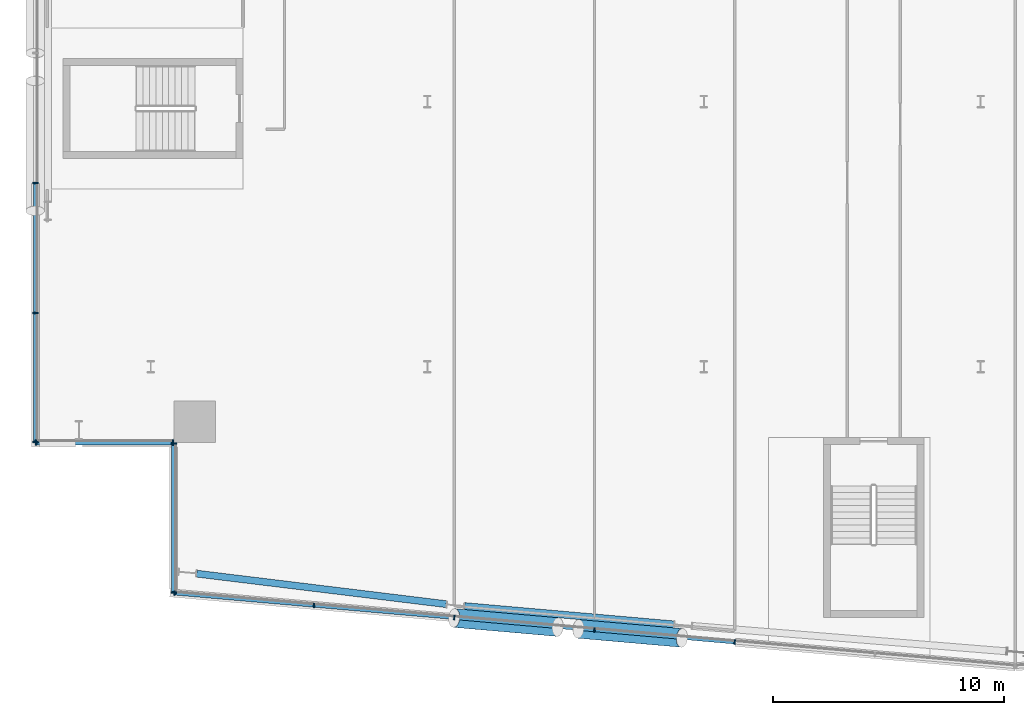
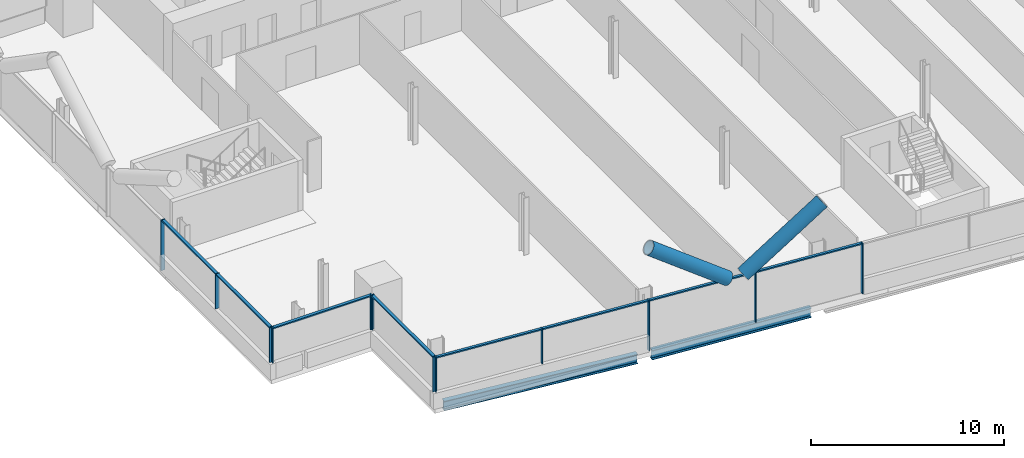
# One storey, part 5 of 26: 22 members, 2 beams, 4 elements without a shape of their own.
"""IFC4 building model written with IfcOpenShell, lengths in metres."""

from ifc_helpers import new_model, si_unit, direction, frame, origin, origin_2d, place, context, subcontext, project, spatial, rectangle, hollow_circle, i_section, extrude, material, material_profile, profile_set, type_object, element, aggregate, save


model = new_model("IFC4")

# Units and contexts
model_context = context("Model", 3, precision=1e-05, world=origin(), true_north=direction((0.0, 1.0)))
body_context = subcontext(model_context, "Body", "Model", "MODEL_VIEW")
ifc_project = project(units=[si_unit("LENGTHUNIT", "METRE"), si_unit("AREAUNIT", "SQUARE_METRE"), si_unit("VOLUMEUNIT", "CUBIC_METRE"), si_unit("PLANEANGLEUNIT", "RADIAN"), si_unit("MASSUNIT", "GRAM", prefix="KILO")], contexts=[model_context])

# Site, building, storey
site_placement = place(None, origin())
site = spatial("IfcSite", under=ifc_project, at=site_placement, CompositionType="ELEMENT")
building_placement = place(site_placement, origin())
building = spatial("IfcBuilding", under=site, at=building_placement, Name="Wharfspan Tower", CompositionType="ELEMENT")
storey_placement = place(building_placement, frame((0.0, 0.0, 125.5)))
storey = spatial("IfcBuildingStorey", under=building, at=storey_placement, Name="L29", CompositionType="ELEMENT", Elevation=125.5)

# Beams
ifc_material_1 = material(Name="Steel S355J2", Category="steel")
ifc_material_profile_1 = material_profile(ifc_material_1, i_section(OverallWidth=0.300049, OverallDepth=0.600098, WebThickness=0.015381, FlangeThickness=0.030029, FilletRadius=0.0271, at=origin_2d()))
ifc_profile_set_1 = profile_set([ifc_material_profile_1], Name="Steel S355J2")
beam_type = type_object("IfcBeamType", Name="Edge beam HEB 600", PredefinedType="SPANDREL", material=ifc_profile_set_1)
beam_1_placement = place(storey_placement, frame((13.990967, 2.520508, -0.699951), z_axis=(0.992611, -0.121342, 0.0), x_axis=(0.121342, 0.992611, 0.0)))
element("IfcBeam", 1, at=beam_1_placement, inside=storey, type_object=beam_type, Name="Edge beam S1 L29 PS1.1 to PS1.2", PredefinedType="SPANDREL", context=body_context, shape_type="SweptSolid", body=[
    extrude(i_section(OverallWidth=0.300049, OverallDepth=0.600098, WebThickness=0.015381, FlangeThickness=0.030029, FilletRadius=0.0271, at=origin_2d()), origin(), (0.0, 0.0, 1.0), 10.903076),
])
beam_2_placement = place(storey_placement, frame((25.615234, 1.113525, -0.699951), z_axis=(0.996195, -0.087151, 0.0), x_axis=(0.087151, 0.996195, 0.0)))
element("IfcBeam", 2, at=beam_2_placement, inside=storey, type_object=beam_type, Name="Edge beam S1 L29 PS1.2 to PS1.3", PredefinedType="SPANDREL", context=body_context, shape_type="SweptSolid", body=[
    extrude(i_section(OverallWidth=0.300049, OverallDepth=0.600098, WebThickness=0.015381, FlangeThickness=0.030029, FilletRadius=0.0271, at=origin_2d()), origin(), (0.0, 0.0, 1.0), 9.107178),
])

# Curtain wall, members
ifc_material_2 = material(Name="Aluminium 6063-T6", Category="aluminium")
curtain_wall_type_1 = type_object("IfcCurtainWallType", Name="CURTAIN WALL FACETED FRONT", PredefinedType="NOTDEFINED", material=ifc_material_2)
curtain_wall_1_placement = place(storey_placement, origin())
curtain_wall_1 = element("IfcCurtainWall", 3, at=curtain_wall_1_placement, inside=storey, type_object=curtain_wall_type_1, Name="Curtain wall S1", PredefinedType="NOTDEFINED")
ifc_material_profile_2 = material_profile(ifc_material_2, rectangle(XDim=0.199951, YDim=0.060059, at=origin_2d()))
ifc_profile_set_2 = profile_set([ifc_material_profile_2], Name="Aluminium 6063-T6")
member_type_1 = type_object("IfcMemberType", Name="MULLION FACETED FRONT 60x200", PredefinedType="MULLION", material=ifc_profile_set_2)
member_1_placement = place(storey_placement, frame((13.029785, 1.672363, 1.0), z_axis=(0.0, 0.0, 1.0), x_axis=(0.087156, 0.996198, 0.0)))
member_1 = element("IfcMember", 4, at=member_1_placement, type_object=member_type_1, Name="Curtain wall S1 mullion 1", PredefinedType="MULLION", context=body_context, shape_type="SweptSolid", body=[
    extrude(rectangle(XDim=0.199951, YDim=0.060059, at=origin_2d()), origin(), (0.0, 0.0, 1.0), 2.199951),
])
member_2_placement = place(storey_placement, frame((19.083252, 1.142822, 1.0), z_axis=(0.0, 0.0, 1.0), x_axis=(0.087156, 0.996198, 0.0)))
member_2 = element("IfcMember", 5, at=member_2_placement, type_object=member_type_1, Name="Curtain wall S1 mullion 2", PredefinedType="MULLION", context=body_context, shape_type="SweptSolid", body=[
    extrude(rectangle(XDim=0.199951, YDim=0.060059, at=origin_2d()), origin(), (0.0, 0.0, 1.0), 2.199951),
])
member_3_placement = place(storey_placement, frame((25.166748, 0.610596, 0.0), z_axis=(0.0, 0.0, 1.0), x_axis=(0.087156, 0.996198, 0.0)))
member_3 = element("IfcMember", 6, at=member_3_placement, type_object=member_type_1, Name="Curtain wall S1 mullion 3", PredefinedType="MULLION", context=body_context, shape_type="SweptSolid", body=[
    extrude(rectangle(XDim=0.199951, YDim=0.060059, at=origin_2d()), origin(), (0.0, 0.0, 1.0), 3.199951),
])
member_4_placement = place(storey_placement, frame((31.25, 0.078369, 0.0), z_axis=(0.0, 0.0, 1.0), x_axis=(0.087156, 0.996198, 0.0)))
member_4 = element("IfcMember", 7, at=member_4_placement, type_object=member_type_1, Name="Curtain wall S1 mullion 4", PredefinedType="MULLION", context=body_context, shape_type="SweptSolid", body=[
    extrude(rectangle(XDim=0.199951, YDim=0.060059, at=origin_2d()), origin(), (0.0, 0.0, 1.0), 3.199951),
])
member_5_placement = place(storey_placement, frame((37.333252, -0.453857, 0.0), z_axis=(0.0, 0.0, 1.0), x_axis=(0.087156, 0.996198, 0.0)))
member_5 = element("IfcMember", 8, at=member_5_placement, type_object=member_type_1, Name="Curtain wall S1 mullion 5", PredefinedType="MULLION", context=body_context, shape_type="SweptSolid", body=[
    extrude(rectangle(XDim=0.199951, YDim=0.060059, at=origin_2d()), origin(), (0.0, 0.0, 1.0), 3.199951),
])

curtain_wall_type_2 = type_object("IfcCurtainWallType", Name="CURTAIN WALL PROW AND END", PredefinedType="NOTDEFINED", material=ifc_material_2)
curtain_wall_2_placement = place(storey_placement, origin())
curtain_wall_2 = element("IfcCurtainWall", 9, at=curtain_wall_2_placement, inside=storey, type_object=curtain_wall_type_2, Name="Curtain wall W", PredefinedType="NOTDEFINED")
ifc_material_profile_3 = material_profile(ifc_material_2, rectangle(XDim=0.23999, YDim=0.060059, at=origin_2d()))
ifc_profile_set_3 = profile_set([ifc_material_profile_3], Name="Aluminium 6063-T6")
member_type_2 = type_object("IfcMemberType", Name="MULLION PROW AND END 60x240", PredefinedType="MULLION", material=ifc_profile_set_3)
member_6_placement = place(storey_placement, frame((7.0, 19.466553, 0.0), z_axis=(0.0, 0.0, 1.0), x_axis=(1.0, 0.0, 0.0)))
member_6 = element("IfcMember", 10, at=member_6_placement, type_object=member_type_2, Name="Curtain wall W mullion 5", PredefinedType="MULLION", context=body_context, shape_type="SweptSolid", body=[
    extrude(rectangle(XDim=0.23999, YDim=0.060059, at=origin_2d()), origin(), (0.0, 0.0, 1.0), 3.199951),
])
member_7_placement = place(storey_placement, frame((7.0, 13.833252, 1.0), z_axis=(0.0, 0.0, 1.0), x_axis=(1.0, 0.0, 0.0)))
member_7 = element("IfcMember", 11, at=member_7_placement, type_object=member_type_2, Name="Curtain wall W mullion 6", PredefinedType="MULLION", context=body_context, shape_type="SweptSolid", body=[
    extrude(rectangle(XDim=0.23999, YDim=0.060059, at=origin_2d()), origin(), (0.0, 0.0, 1.0), 2.199951),
])
member_8_placement = place(storey_placement, frame((7.0, 8.22998, 1.0), z_axis=(0.0, 0.0, 1.0), x_axis=(1.0, 0.0, 0.0)))
member_8 = element("IfcMember", 12, at=member_8_placement, type_object=member_type_2, Name="Curtain wall W mullion 7", PredefinedType="MULLION", context=body_context, shape_type="SweptSolid", body=[
    extrude(rectangle(XDim=0.23999, YDim=0.060059, at=origin_2d()), origin(), (0.0, 0.0, 1.0), 2.199951),
])

curtain_wall_3_placement = place(storey_placement, origin())
curtain_wall_3 = element("IfcCurtainWall", 13, at=curtain_wall_3_placement, inside=storey, type_object=curtain_wall_type_2, Name="Curtain wall NFW-H", PredefinedType="NOTDEFINED")
member_9_placement = place(storey_placement, frame((7.030029, 8.199951, 1.0), z_axis=(0.0, 0.0, 1.0), x_axis=(0.0, 1.0, 0.0)))
member_9 = element("IfcMember", 14, at=member_9_placement, type_object=member_type_2, Name="Curtain wall NFW-H mullion 1", PredefinedType="MULLION", context=body_context, shape_type="SweptSolid", body=[
    extrude(rectangle(XDim=0.23999, YDim=0.060059, at=origin_2d()), origin(), (0.0, 0.0, 1.0), 2.199951),
])
member_10_placement = place(storey_placement, frame((12.969971, 8.199951, 1.0), z_axis=(0.0, 0.0, 1.0), x_axis=(0.0, 1.0, 0.0)))
member_10 = element("IfcMember", 15, at=member_10_placement, type_object=member_type_2, Name="Curtain wall NFW-H mullion 2", PredefinedType="MULLION", context=body_context, shape_type="SweptSolid", body=[
    extrude(rectangle(XDim=0.23999, YDim=0.060059, at=origin_2d()), origin(), (0.0, 0.0, 1.0), 2.199951),
])

curtain_wall_4_placement = place(storey_placement, origin())
curtain_wall_4 = element("IfcCurtainWall", 16, at=curtain_wall_4_placement, inside=storey, type_object=curtain_wall_type_2, Name="Curtain wall NFW-V", PredefinedType="NOTDEFINED")
member_11_placement = place(storey_placement, frame((13.0, 8.169922, 1.0), z_axis=(0.0, 0.0, 1.0), x_axis=(1.0, 0.0, 0.0)))
member_11 = element("IfcMember", 17, at=member_11_placement, type_object=member_type_2, Name="Curtain wall NFW-V mullion 1", PredefinedType="MULLION", context=body_context, shape_type="SweptSolid", body=[
    extrude(rectangle(XDim=0.23999, YDim=0.060059, at=origin_2d()), origin(), (0.0, 0.0, 1.0), 2.199951),
])
member_12_placement = place(storey_placement, frame((13.0, 1.705078, 1.0), z_axis=(0.0, 0.0, 1.0), x_axis=(1.0, 0.0, 0.0)))
member_12 = element("IfcMember", 18, at=member_12_placement, type_object=member_type_2, Name="Curtain wall NFW-V mullion 2", PredefinedType="MULLION", context=body_context, shape_type="SweptSolid", body=[
    extrude(rectangle(XDim=0.23999, YDim=0.060059, at=origin_2d()), origin(), (0.0, 0.0, 1.0), 2.199951),
])

# Members
ifc_material_3 = material(Name="Steel S460NH", Category="steel")
ifc_material_profile_4 = material_profile(ifc_material_3, hollow_circle(Radius=0.406494, WallThickness=0.040039, at=origin_2d()))
ifc_profile_set_4 = profile_set([ifc_material_profile_4], Name="Steel S460NH")
member_type_3 = type_object("IfcMemberType", Name="Mega brace CHS 813x40", PredefinedType="BRACE", material=ifc_profile_set_4)
member_13_placement = place(storey_placement, frame((30.551514, 0.124512, 3.226807), z_axis=(0.806015, -0.070528, 0.587679), x_axis=(0.087171, 0.996191, -3e-06)))
element("IfcMember", 19, at=member_13_placement, inside=storey, type_object=member_type_3, Name="Mega brace S1 L29 part 2", PredefinedType="BRACE", context=body_context, shape_type="SweptSolid", body=[
    extrude(hollow_circle(Radius=0.406494, WallThickness=0.040039, at=origin_2d()), origin(), (0.0, 0.0, 1.0), 5.56958),
])
member_14_placement = place(storey_placement, frame((29.654785, 0.202881, 3.226807), z_axis=(-0.80603, 0.070526, 0.587658), x_axis=(-0.087167, -0.996192, -3e-06)))
element("IfcMember", 20, at=member_14_placement, inside=storey, type_object=member_type_3, Name="Mega brace S1 L29 part 4", PredefinedType="BRACE", context=body_context, shape_type="SweptSolid", body=[
    extrude(hollow_circle(Radius=0.406494, WallThickness=0.040039, at=origin_2d()), origin(), (0.0, 0.0, 1.0), 5.569824),
])

# Member
ifc_material_profile_5 = material_profile(ifc_material_2, rectangle(XDim=0.159912, YDim=0.080078, at=origin_2d()))
ifc_profile_set_5 = profile_set([ifc_material_profile_5], Name="Aluminium 6063-T6")
member_type_4 = type_object("IfcMemberType", Name="TRANSOM FACETED FRONT 80x160", PredefinedType="USERDEFINED", material=ifc_profile_set_5)
member_15_placement = place(storey_placement, frame((13.059814, 1.669922, 3.159912), z_axis=(0.996194, -0.087162, 0.0), x_axis=(0.087162, 0.996194, 0.0)))
member_15 = element("IfcMember", 21, at=member_15_placement, type_object=member_type_4, Name="Curtain wall S1 transom 1", ObjectType="TRANSOM", PredefinedType="USERDEFINED", context=body_context, shape_type="SweptSolid", body=[
    extrude(rectangle(XDim=0.159912, YDim=0.080078, at=origin_2d()), origin(), (0.0, 0.0, 1.0), 6.016602),
])

member_16_placement = place(storey_placement, frame((19.113281, 1.140137, 3.159912), z_axis=(0.996197, -0.087135, 0.0), x_axis=(0.087135, 0.996197, 0.0)))
member_16 = element("IfcMember", 22, at=member_16_placement, type_object=member_type_4, Name="Curtain wall S1 transom 2", ObjectType="TRANSOM", PredefinedType="USERDEFINED", context=body_context, shape_type="SweptSolid", body=[
    extrude(rectangle(XDim=0.159912, YDim=0.080078, at=origin_2d()), origin(), (0.0, 0.0, 1.0), 6.046387),
])

member_17_placement = place(storey_placement, frame((25.196533, 0.60791, 3.159912), z_axis=(0.996197, -0.087131, 0.0), x_axis=(0.087131, 0.996197, 0.0)))
member_17 = element("IfcMember", 23, at=member_17_placement, type_object=member_type_4, Name="Curtain wall S1 transom 3", ObjectType="TRANSOM", PredefinedType="USERDEFINED", context=body_context, shape_type="SweptSolid", body=[
    extrude(rectangle(XDim=0.159912, YDim=0.080078, at=origin_2d()), origin(), (0.0, 0.0, 1.0), 6.046631),
])

member_18_placement = place(storey_placement, frame((31.279785, 0.075684, 3.159912), z_axis=(0.996197, -0.087131, 0.0), x_axis=(0.087131, 0.996197, 0.0)))
member_18 = element("IfcMember", 24, at=member_18_placement, type_object=member_type_4, Name="Curtain wall S1 transom 4", ObjectType="TRANSOM", PredefinedType="USERDEFINED", context=body_context, shape_type="SweptSolid", body=[
    extrude(rectangle(XDim=0.159912, YDim=0.080078, at=origin_2d()), origin(), (0.0, 0.0, 1.0), 6.046631),
])

aggregate(curtain_wall_1, [member_1, member_2, member_3, member_4, member_5, member_15, member_16, member_17, member_18])

ifc_material_profile_6 = material_profile(ifc_material_2, rectangle(XDim=0.179932, YDim=0.080078, at=origin_2d()))
ifc_profile_set_6 = profile_set([ifc_material_profile_6], Name="Aluminium 6063-T6")
member_type_5 = type_object("IfcMemberType", Name="TRANSOM PROW AND END 80x180", PredefinedType="USERDEFINED", material=ifc_profile_set_6)
member_19_placement = place(storey_placement, frame((7.0, 19.436768, 3.159912), z_axis=(0.0, -1.0, 0.0), x_axis=(1.0, 0.0, 0.0)))
member_19 = element("IfcMember", 25, at=member_19_placement, type_object=member_type_5, Name="Curtain wall W transom 5", ObjectType="TRANSOM", PredefinedType="USERDEFINED", context=body_context, shape_type="SweptSolid", body=[
    extrude(rectangle(XDim=0.179932, YDim=0.080078, at=origin_2d()), origin(), (0.0, 0.0, 1.0), 5.573486),
])

member_20_placement = place(storey_placement, frame((7.0, 13.803223, 3.159912), z_axis=(0.0, -1.0, 0.0), x_axis=(1.0, 0.0, 0.0)))
member_20 = element("IfcMember", 26, at=member_20_placement, type_object=member_type_5, Name="Curtain wall W transom 6", ObjectType="TRANSOM", PredefinedType="USERDEFINED", context=body_context, shape_type="SweptSolid", body=[
    extrude(rectangle(XDim=0.179932, YDim=0.080078, at=origin_2d()), origin(), (0.0, 0.0, 1.0), 5.543213),
])

aggregate(curtain_wall_2, [member_6, member_7, member_8, member_19, member_20])

member_21_placement = place(storey_placement, frame((7.060059, 8.199951, 3.159912), z_axis=(1.0, 0.0, 0.0), x_axis=(0.0, 1.0, 0.0)))
member_21 = element("IfcMember", 27, at=member_21_placement, type_object=member_type_5, Name="Curtain wall NFW-H transom 1", ObjectType="TRANSOM", PredefinedType="USERDEFINED", context=body_context, shape_type="SweptSolid", body=[
    extrude(rectangle(XDim=0.179932, YDim=0.080078, at=origin_2d()), origin(), (0.0, 0.0, 1.0), 5.879883),
])

aggregate(curtain_wall_3, [member_9, member_10, member_21])

member_22_placement = place(storey_placement, frame((13.0, 8.139893, 3.159912), z_axis=(0.0, -1.0, 0.0), x_axis=(1.0, 0.0, 0.0)))
member_22 = element("IfcMember", 28, at=member_22_placement, type_object=member_type_5, Name="Curtain wall NFW-V transom 1", ObjectType="TRANSOM", PredefinedType="USERDEFINED", context=body_context, shape_type="SweptSolid", body=[
    extrude(rectangle(XDim=0.179932, YDim=0.080078, at=origin_2d()), origin(), (0.0, 0.0, 1.0), 6.404785),
])

aggregate(curtain_wall_4, [member_11, member_12, member_22])

save(model, "model.ifc")
